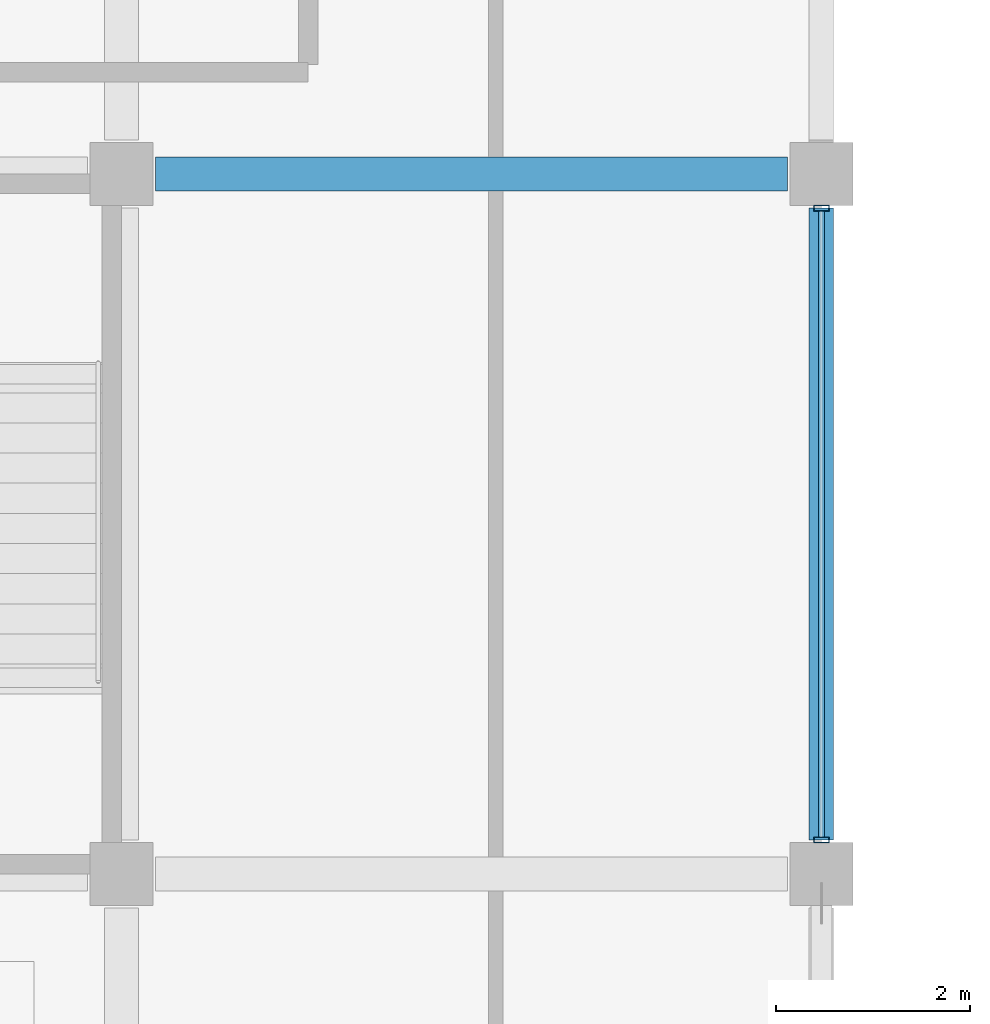
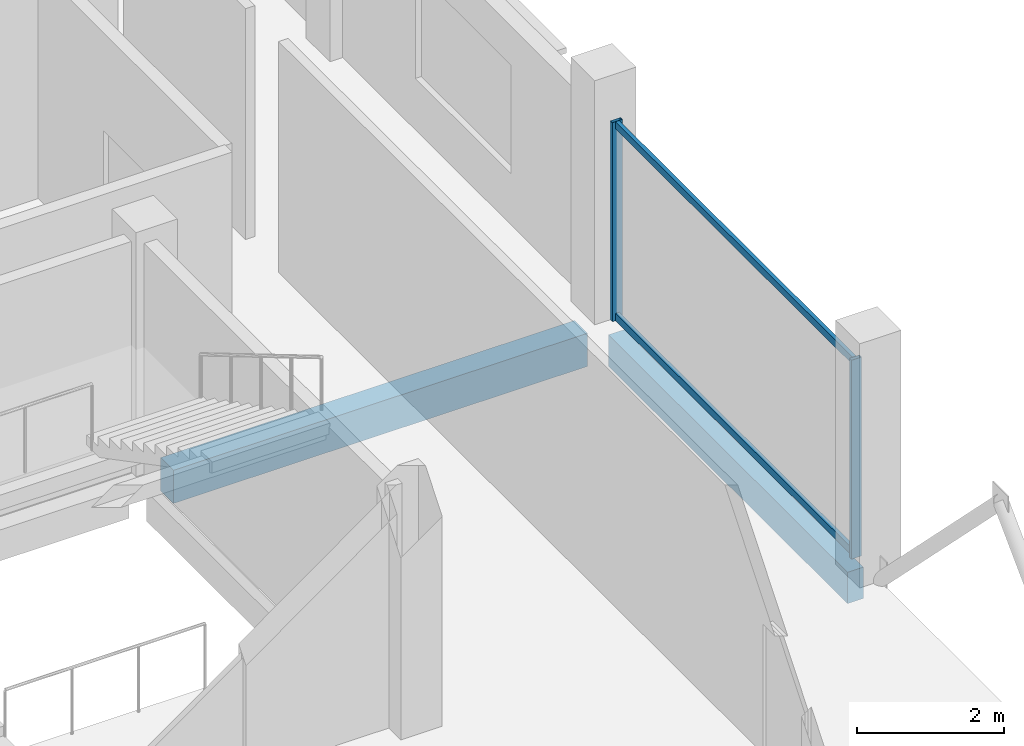
# One storey, part 4 of 59: 4 members, 2 beams, 1 element without a shape of its own.
"""IFC4 building model written with IfcOpenShell, lengths in metres."""

from ifc_helpers import new_model, si_unit, direction, frame, origin, origin_2d, place, context, subcontext, project, spatial, rectangle, hollow_rectangle, extrude, material, layer, layer_set, material_profile, profile_set, type_object, element, aggregate, save


model = new_model("IFC4")

# Units and contexts
model_context = context("Model", 3, precision=1e-05, world=origin(), true_north=direction((0.0, 1.0)))
body_context = subcontext(model_context, "Body", "Model", "MODEL_VIEW")
ifc_project = project(units=[si_unit("LENGTHUNIT", "METRE"), si_unit("AREAUNIT", "SQUARE_METRE"), si_unit("VOLUMEUNIT", "CUBIC_METRE"), si_unit("PLANEANGLEUNIT", "RADIAN"), si_unit("MASSUNIT", "GRAM", prefix="KILO")], contexts=[model_context])

# Site, building, storey
site_placement = place(None, origin())
site = spatial("IfcSite", under=ifc_project, at=site_placement, CompositionType="ELEMENT")
building_placement = place(site_placement, origin())
building = spatial("IfcBuilding", under=site, at=building_placement, Name="Kangsadwip Square Police Headquarters", CompositionType="ELEMENT")
storey_placement = place(building_placement, frame((0.0, 0.0, 21.60009765625)))
storey = spatial("IfcBuildingStorey", under=building, at=storey_placement, Name="L05", CompositionType="ELEMENT", Elevation=21.60009765625)

# Curtain wall, members
ifc_material_1 = material(Name="Thermally broken anodised aluminium AW-6063-T6", Category="aluminium")
ifc_layer = layer(ifc_material_1, 0.159912109375)
ifc_layer_set = layer_set([ifc_layer], Name="Thermally broken anodised aluminium AW-6063-T6")
curtain_wall_type = type_object("IfcCurtainWallType", Name="CourtScreen6560x3300", PredefinedType="USERDEFINED", material=ifc_layer_set)
curtain_wall_placement = place(storey_placement, origin())
curtain_wall = element("IfcCurtainWall", 1, at=curtain_wall_placement, inside=storey, type_object=curtain_wall_type, Name="Curtain Wall CW-L05-0216-0435", ObjectType="GLAZED_SCREEN", PredefinedType="USERDEFINED")
ifc_material_2 = material(Name="Thermally broken anodised aluminium AW-6063-T6", Category="aluminium")
ifc_material_profile_1 = material_profile(ifc_material_2, hollow_rectangle(XDim=0.06005859375, YDim=0.159912109375, WallThickness=0.00390625, at=origin_2d()), Name="CWM 160X60X4")
ifc_profile_set_1 = profile_set([ifc_material_profile_1], Name="Thermally broken anodised aluminium AW-6063-T6")
member_type_1 = type_object("IfcMemberType", Name="CwMullion135x60", PredefinedType="MULLION", material=ifc_profile_set_1)
member_1_placement = place(storey_placement, frame((21.60009765625, 43.550048828125, 0.0), z_axis=(0.0, 0.0, 1.0), x_axis=(0.0, 1.0, 0.0)))
member_1 = element("IfcMember", 2, at=member_1_placement, type_object=member_type_1, Name="CW-48 mullion 1", PredefinedType="MULLION", context=body_context, shape_type="SweptSolid", body=[
    extrude(hollow_rectangle(XDim=0.06005859375, YDim=0.159912109375, WallThickness=0.00390625, at=origin_2d()), origin(), (0.0, 0.0, 1.0), 3.2998046875),
])
member_2_placement = place(storey_placement, frame((21.60009765625, 50.050048828125, 0.0), z_axis=(0.0, 0.0, 1.0), x_axis=(0.0, 1.0, 0.0)))
member_2 = element("IfcMember", 3, at=member_2_placement, type_object=member_type_1, Name="CW-48 mullion 2", PredefinedType="MULLION", context=body_context, shape_type="SweptSolid", body=[
    extrude(hollow_rectangle(XDim=0.06005859375, YDim=0.159912109375, WallThickness=0.00390625, at=origin_2d()), origin(), (0.0, 0.0, 1.0), 3.2998046875),
])
ifc_material_3 = material(Name="Thermally broken anodised aluminium AW-6063-T6", Category="aluminium")
ifc_material_profile_2 = material_profile(ifc_material_3, hollow_rectangle(XDim=0.06005859375, YDim=0.1201171875, WallThickness=0.00390625, at=origin_2d()), Name="CWT 120X60X4")
ifc_profile_set_2 = profile_set([ifc_material_profile_2], Name="Thermally broken anodised aluminium AW-6063-T6")
member_type_2 = type_object("IfcMemberType", Name="CwTransom120x55", PredefinedType="USERDEFINED", material=ifc_profile_set_2)
member_3_placement = place(storey_placement, frame((21.60009765625, 43.580078125, 0.059814453125), z_axis=(0.0, 1.0, 0.0), x_axis=(-1.0, 0.0, 0.0)))
member_3 = element("IfcMember", 4, at=member_3_placement, type_object=member_type_2, Name="CW-48 transom 1.1", ObjectType="TRANSOM", PredefinedType="USERDEFINED", context=body_context, shape_type="SweptSolid", body=[
    extrude(hollow_rectangle(XDim=0.06005859375, YDim=0.1201171875, WallThickness=0.00390625, at=origin_2d()), origin(), (0.0, 0.0, 1.0), 6.43994140625),
])
member_4_placement = place(storey_placement, frame((21.60009765625, 43.580078125, 3.239990234375), z_axis=(0.0, 1.0, 0.0), x_axis=(-1.0, 0.0, 0.0)))
member_4 = element("IfcMember", 5, at=member_4_placement, type_object=member_type_2, Name="CW-48 transom 1.2", ObjectType="TRANSOM", PredefinedType="USERDEFINED", context=body_context, shape_type="SweptSolid", body=[
    extrude(hollow_rectangle(XDim=0.06005859375, YDim=0.1201171875, WallThickness=0.00390625, at=origin_2d()), origin(), (0.0, 0.0, 1.0), 6.43994140625),
])
aggregate(curtain_wall, [member_1, member_2, member_3, member_4])

# Beams
ifc_material_4 = material(Name="Concrete M35 (35 MPa)", Category="concrete")
ifc_material_profile_3 = material_profile(ifc_material_4, rectangle(XDim=0.35009765625, YDim=0.550048828125, at=origin_2d()), Name="RC BM 550X350")
ifc_profile_set_3 = profile_set([ifc_material_profile_3], Name="Concrete M35 (35 MPa)")
beam_type_1 = type_object("IfcBeamType", Name="RcBeam550x350", PredefinedType="BEAM", material=ifc_profile_set_3)
beam_1_placement = place(storey_placement, frame((14.75, 50.39990234375, -0.4951171875), z_axis=(1.0, 0.0, 0.0), x_axis=(0.0, 1.0, 0.0)))
element("IfcBeam", 6, at=beam_1_placement, inside=storey, type_object=beam_type_1, Name="Beam BM-L05-X-02-07", PredefinedType="BEAM", context=body_context, shape_type="SweptSolid", body=[
    extrude(rectangle(XDim=0.35009765625, YDim=0.550048828125, at=origin_2d()), origin(), (0.0, 0.0, 1.0), 6.5),
])
ifc_material_5 = material(Name="Concrete M35 (35 MPa)", Category="concrete")
ifc_material_profile_4 = material_profile(ifc_material_5, rectangle(XDim=0.25, YDim=0.52001953125, at=origin_2d()), Name="RC SPN 520X250")
ifc_profile_set_4 = profile_set([ifc_material_profile_4], Name="Concrete M35 (35 MPa)")
beam_type_2 = type_object("IfcBeamType", Name="RcSpandrel520x250", PredefinedType="SPANDREL", material=ifc_profile_set_4)
beam_2_placement = place(storey_placement, frame((21.60009765625, 43.550048828125, -0.47998046875), z_axis=(0.0, 1.0, 0.0), x_axis=(-1.0, 0.0, 0.0)))
element("IfcBeam", 7, at=beam_2_placement, inside=storey, type_object=beam_type_2, Name="Beam BM-L05-Y-03-06", PredefinedType="SPANDREL", context=body_context, shape_type="SweptSolid", body=[
    extrude(rectangle(XDim=0.25, YDim=0.52001953125, at=origin_2d()), origin(), (0.0, 0.0, 1.0), 6.5),
])

save(model, "model.ifc")
